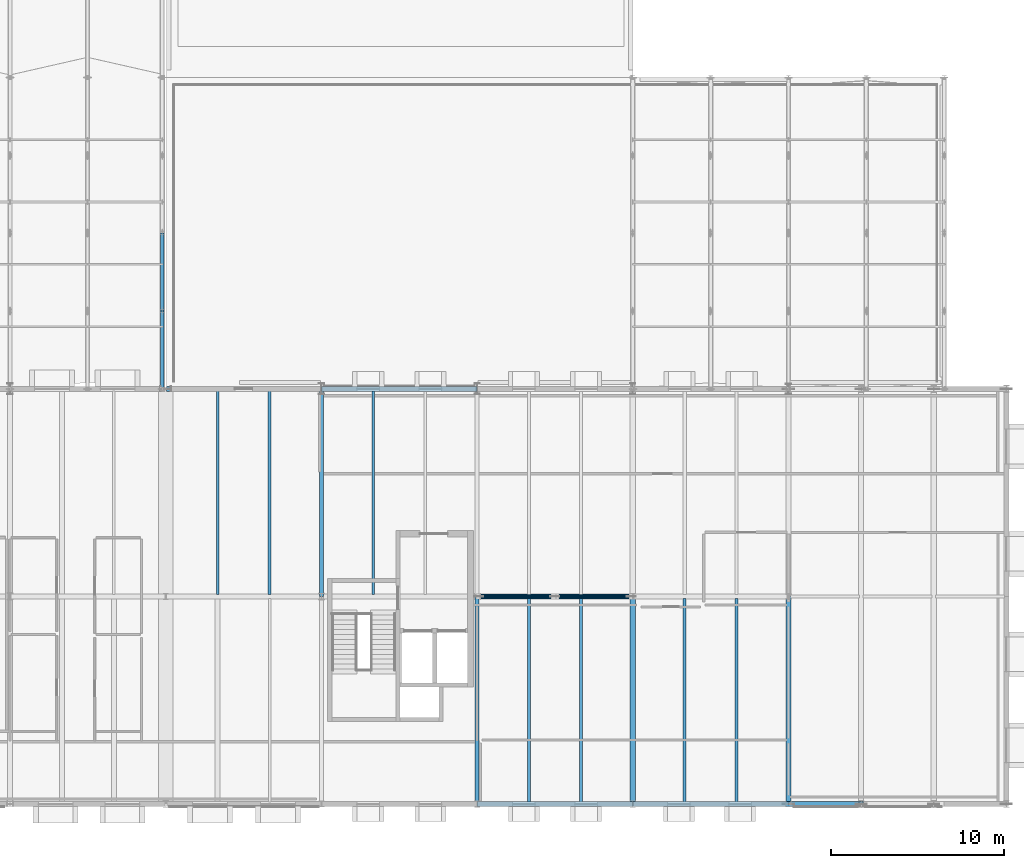
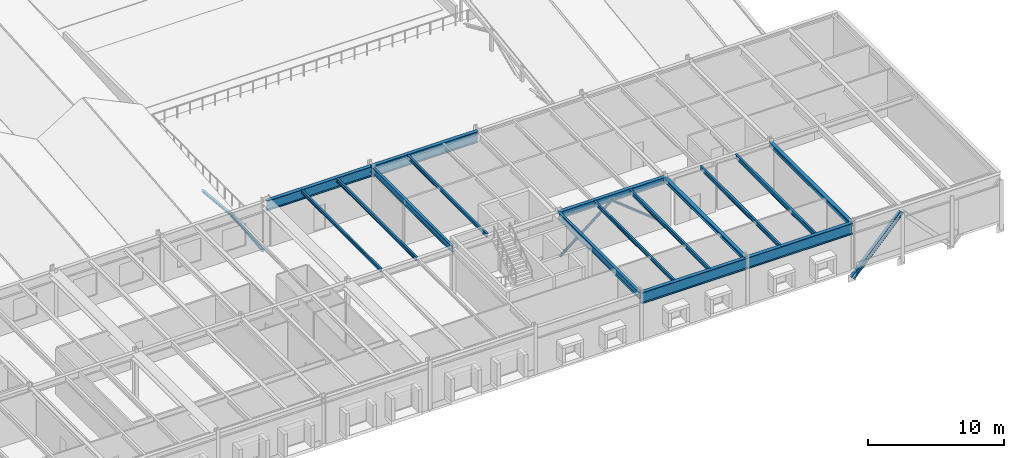
# One storey, part 45 of 142: 16 beams, 5 members.
"""IFC4 building model written with IfcOpenShell, lengths in metres."""

from ifc_helpers import new_model, si_unit, direction, frame, origin, origin_2d, place, context, subcontext, project, spatial, hollow_circle, i_section, extrude, material, material_profile, profile_set, type_object, element, save


model = new_model("IFC4")

# Units and contexts
model_context = context("Model", 3, precision=1e-05, world=origin(), true_north=direction((0.0, 1.0)))
body_context = subcontext(model_context, "Body", "Model", "MODEL_VIEW")
ifc_project = project(units=[si_unit("LENGTHUNIT", "METRE"), si_unit("AREAUNIT", "SQUARE_METRE"), si_unit("VOLUMEUNIT", "CUBIC_METRE"), si_unit("PLANEANGLEUNIT", "RADIAN"), si_unit("MASSUNIT", "GRAM", prefix="KILO")], contexts=[model_context])

# Site, building, storey
site_placement = place(None, origin())
site = spatial("IfcSite", under=ifc_project, at=site_placement, CompositionType="ELEMENT")
building_placement = place(site_placement, origin())
building = spatial("IfcBuilding", under=site, at=building_placement, Name="Montelvaro Courts of Justice", CompositionType="ELEMENT")
storey_placement = place(building_placement, frame((0.0, 0.0, 14.39990234375)))
storey = spatial("IfcBuildingStorey", under=building, at=storey_placement, Name="L03", CompositionType="ELEMENT", Elevation=14.39990234375)

# Beams
ifc_material = material(Name="Steel S355", Category="steel")
ifc_material_profile_1 = material_profile(ifc_material, i_section(OverallWidth=0.300048828125, OverallDepth=0.35009765625, WebThickness=0.010009765625, FlangeThickness=0.017578125, at=origin_2d()), Name="HEA 360")
ifc_profile_set_1 = profile_set([ifc_material_profile_1], Name="Steel S355")
beam_type_1 = type_object("IfcBeamType", Name="Beam_HEA360", PredefinedType="USERDEFINED", material=ifc_profile_set_1)
beam_1_placement = place(storey_placement, frame((126.0, 0.0, 4.005126953125), z_axis=(0.0, 1.0, 0.0), x_axis=(-1.0, 0.0, 0.0)))
element("IfcBeam", 1, at=beam_1_placement, inside=storey, type_object=beam_type_1, Name="Beam B-16 L03", ObjectType="GIRDER", PredefinedType="USERDEFINED", context=body_context, shape_type="SweptSolid", body=[
    extrude(i_section(OverallWidth=0.300048828125, OverallDepth=0.35009765625, WebThickness=0.010009765625, FlangeThickness=0.017578125, at=origin_2d()), origin(), (0.0, 0.0, 1.0), 12.0),
])
ifc_material_profile_2 = material_profile(ifc_material, i_section(OverallWidth=0.300048828125, OverallDepth=0.389892578125, WebThickness=0.010986328125, FlangeThickness=0.01904296875, at=origin_2d()), Name="HEA 400")
ifc_profile_set_2 = profile_set([ifc_material_profile_2], Name="Steel S355")
beam_type_2 = type_object("IfcBeamType", Name="Beam_HEA400", PredefinedType="USERDEFINED", material=ifc_profile_set_2)
beam_2_placement = place(storey_placement, frame((135.0, 0.0, 3.985107421875), z_axis=(0.0, 1.0, 0.0), x_axis=(-1.0, 0.0, 0.0)))
element("IfcBeam", 2, at=beam_2_placement, inside=storey, type_object=beam_type_2, Name="Beam B-17 L03", ObjectType="GIRDER", PredefinedType="USERDEFINED", context=body_context, shape_type="SweptSolid", body=[
    extrude(i_section(OverallWidth=0.300048828125, OverallDepth=0.389892578125, WebThickness=0.010986328125, FlangeThickness=0.01904296875, at=origin_2d()), origin(), (0.0, 0.0, 1.0), 12.0),
])
ifc_material_profile_3 = material_profile(ifc_material, i_section(OverallWidth=0.300048828125, OverallDepth=0.60009765625, WebThickness=0.015380859375, FlangeThickness=0.030029296875, at=origin_2d()), Name="HEB 600")
ifc_profile_set_3 = profile_set([ifc_material_profile_3], Name="Steel S355")
beam_type_3 = type_object("IfcBeamType", Name="Beam_HEB600", PredefinedType="USERDEFINED", material=ifc_profile_set_3)
beam_3_placement = place(storey_placement, frame((117.0, 12.0, 3.880126953125), z_axis=(1.0, 0.0, 0.0), x_axis=(0.0, 1.0, 0.0)))
element("IfcBeam", 3, at=beam_3_placement, inside=storey, type_object=beam_type_3, Name="Beam B-26 L03", ObjectType="GIRDER", PredefinedType="USERDEFINED", context=body_context, shape_type="SweptSolid", body=[
    extrude(i_section(OverallWidth=0.300048828125, OverallDepth=0.60009765625, WebThickness=0.015380859375, FlangeThickness=0.030029296875, at=origin_2d()), origin(), (0.0, 0.0, 1.0), 9.0),
])
ifc_material_profile_4 = material_profile(ifc_material, i_section(OverallWidth=0.300048828125, OverallDepth=0.89990234375, WebThickness=0.0185546875, FlangeThickness=0.034912109375, at=origin_2d()), Name="HEB 900")
ifc_profile_set_4 = profile_set([ifc_material_profile_4], Name="Steel S355")
beam_type_4 = type_object("IfcBeamType", Name="Beam_HEB900", PredefinedType="USERDEFINED", material=ifc_profile_set_4)
beam_4_placement = place(storey_placement, frame((99.050048828125, 24.0, 3.72998046875), z_axis=(1.0, 0.0, 0.0), x_axis=(0.0, 1.0, 0.0)))
element("IfcBeam", 4, at=beam_4_placement, inside=storey, type_object=beam_type_4, Name="Beam B-30 L03", ObjectType="GIRDER", PredefinedType="USERDEFINED", context=body_context, shape_type="SweptSolid", body=[
    extrude(i_section(OverallWidth=0.300048828125, OverallDepth=0.89990234375, WebThickness=0.0185546875, FlangeThickness=0.034912109375, at=origin_2d()), origin(), (0.0, 0.0, 1.0), 8.949951171875),
])
ifc_material_profile_5 = material_profile(ifc_material, i_section(OverallWidth=0.302001953125, OverallDepth=1.008056640625, WebThickness=0.02099609375, FlangeThickness=0.0400390625, at=origin_2d()), Name="HEM 1000")
ifc_profile_set_5 = profile_set([ifc_material_profile_5], Name="Steel S355")
beam_type_5 = type_object("IfcBeamType", Name="Beam_HEM1000", PredefinedType="USERDEFINED", material=ifc_profile_set_5)
for number, where, z_axis, x_axis, name in (
    (5, (117.0, 0.0, 3.676025390625), (1.0, 0.0, 0.0), (0.0, 1.0, 0.0), "Pratt Cantilever Truss Chord CTR-BAR2-S-L04-BS2"),
    (6, (126.0, 0.0, 3.676025390625), (1.0, 0.0, 0.0), (0.0, 1.0, 0.0), "Pratt Cantilever Truss Chord CTR-BAR2-S-L04-BS3"),
    (7, (108.0, 24.0, 3.676025390625), (1.0, 0.0, 0.0), (0.0, 1.0, 0.0), "Pratt Cantilever Truss Chord CTR-BAR2-N-L04-BS1"),
):
    element("IfcBeam", number, at=place(storey_placement, frame(where, z_axis=z_axis, x_axis=x_axis)), inside=storey, type_object=beam_type_5, Name=name, ObjectType="GIRDER", PredefinedType="USERDEFINED", context=body_context, shape_type="SweptSolid", body=[
        extrude(i_section(OverallWidth=0.302001953125, OverallDepth=1.008056640625, WebThickness=0.02099609375, FlangeThickness=0.0400390625, at=origin_2d()), origin(), (0.0, 0.0, 1.0), 9.0),
    ])
ifc_material_profile_6 = material_profile(ifc_material, i_section(OverallWidth=0.14990234375, OverallDepth=0.300048828125, WebThickness=0.007080078125, FlangeThickness=0.0107421875, at=origin_2d()), Name="IPE 300")
ifc_profile_set_6 = profile_set([ifc_material_profile_6], Name="Steel S355")
beam_type_6 = type_object("IfcBeamType", Name="Beam_IPE300", PredefinedType="BEAM", material=ifc_profile_set_6)
beam_5_placement = place(storey_placement, frame((102.0, 12.110107421875, 4.030029296875), z_axis=(0.0, 1.0, 0.0), x_axis=(-1.0, 0.0, 0.0)))
element("IfcBeam", 8, at=beam_5_placement, inside=storey, type_object=beam_type_6, Name="Beam B-05 L03", PredefinedType="BEAM", context=body_context, shape_type="SweptSolid", body=[
    extrude(i_section(OverallWidth=0.14990234375, OverallDepth=0.300048828125, WebThickness=0.007080078125, FlangeThickness=0.0107421875, at=origin_2d()), origin(), (0.0, 0.0, 1.0), 11.77978515625),
])
ifc_material_profile_7 = material_profile(ifc_material, i_section(OverallWidth=0.159912109375, OverallDepth=0.330078125, WebThickness=0.007568359375, FlangeThickness=0.011474609375, at=origin_2d()), Name="IPE 330")
ifc_profile_set_7 = profile_set([ifc_material_profile_7], Name="Steel S355")
beam_type_7 = type_object("IfcBeamType", Name="Beam_IPE330", PredefinedType="BEAM", material=ifc_profile_set_7)
for number, where, z_axis, x_axis, name in (
    (9, (105.0, 12.110107421875, 4.01513671875), (0.0, 1.0, 0.0), (-1.0, 0.0, 0.0), "Beam B-06 L03"),
    (10, (111.0, 12.110107421875, 4.01513671875), (0.0, 1.0, 0.0), (-1.0, 0.0, 0.0), "Beam B-06 L03"),
    (11, (120.0, 0.110107421875, 4.01513671875), (0.0, 1.0, 0.0), (-1.0, 0.0, 0.0), "Beam B-06 L03"),
):
    element("IfcBeam", number, at=place(storey_placement, frame(where, z_axis=z_axis, x_axis=x_axis)), inside=storey, type_object=beam_type_7, Name=name, PredefinedType="BEAM", context=body_context, shape_type="SweptSolid", body=[
        extrude(i_section(OverallWidth=0.159912109375, OverallDepth=0.330078125, WebThickness=0.007568359375, FlangeThickness=0.011474609375, at=origin_2d()), origin(), (0.0, 0.0, 1.0), 11.77978515625),
    ])
ifc_material_profile_8 = material_profile(ifc_material, i_section(OverallWidth=0.169921875, OverallDepth=0.360107421875, WebThickness=0.008056640625, FlangeThickness=0.0126953125, at=origin_2d()), Name="IPE 360")
ifc_profile_set_8 = profile_set([ifc_material_profile_8], Name="Steel S355")
beam_type_8 = type_object("IfcBeamType", Name="Beam_IPE360", PredefinedType="BEAM", material=ifc_profile_set_8)
for number, where, z_axis, x_axis, name in (
    (12, (123.0, 0.110107421875, 4.0), (0.0, 1.0, 0.0), (-1.0, 0.0, 0.0), "Beam B-07 L03"),
    (13, (129.0, 0.110107421875, 4.0), (0.0, 1.0, 0.0), (-1.0, 0.0, 0.0), "Beam B-07 L03"),
):
    element("IfcBeam", number, at=place(storey_placement, frame(where, z_axis=z_axis, x_axis=x_axis)), inside=storey, type_object=beam_type_8, Name=name, PredefinedType="BEAM", context=body_context, shape_type="SweptSolid", body=[
        extrude(i_section(OverallWidth=0.169921875, OverallDepth=0.360107421875, WebThickness=0.008056640625, FlangeThickness=0.0126953125, at=origin_2d()), origin(), (0.0, 0.0, 1.0), 11.77978515625),
    ])
ifc_material_profile_9 = material_profile(ifc_material, i_section(OverallWidth=0.179931640625, OverallDepth=0.39990234375, WebThickness=0.008544921875, FlangeThickness=0.013427734375, at=origin_2d()), Name="IPE 400")
ifc_profile_set_9 = profile_set([ifc_material_profile_9], Name="Steel S355")
beam_type_9 = type_object("IfcBeamType", Name="Beam_IPE400", PredefinedType="BEAM", material=ifc_profile_set_9)
beam_6_placement = place(storey_placement, frame((132.0, 0.110107421875, 3.97998046875), z_axis=(0.0, 1.0, 0.0), x_axis=(-1.0, 0.0, 0.0)))
element("IfcBeam", 14, at=beam_6_placement, inside=storey, type_object=beam_type_9, Name="Beam B-08 L03", PredefinedType="BEAM", context=body_context, shape_type="SweptSolid", body=[
    extrude(i_section(OverallWidth=0.179931640625, OverallDepth=0.39990234375, WebThickness=0.008544921875, FlangeThickness=0.013427734375, at=origin_2d()), origin(), (0.0, 0.0, 1.0), 11.77978515625),
])
ifc_material_profile_10 = material_profile(ifc_material, i_section(OverallWidth=0.2099609375, OverallDepth=0.550048828125, WebThickness=0.010986328125, FlangeThickness=0.01708984375, at=origin_2d()), Name="IPE 550")
ifc_profile_set_10 = profile_set([ifc_material_profile_10], Name="Steel S355")
beam_type_10 = type_object("IfcBeamType", Name="Beam_IPE550", PredefinedType="BEAM", material=ifc_profile_set_10)
beam_7_placement = place(storey_placement, frame((108.0, 12.0, 3.905029296875), z_axis=(0.0, 1.0, 0.0), x_axis=(-1.0, 0.0, 0.0)))
element("IfcBeam", 15, at=beam_7_placement, inside=storey, type_object=beam_type_10, Name="Beam B-11 L03", PredefinedType="BEAM", context=body_context, shape_type="SweptSolid", body=[
    extrude(i_section(OverallWidth=0.2099609375, OverallDepth=0.550048828125, WebThickness=0.010986328125, FlangeThickness=0.01708984375, at=origin_2d()), origin(), (0.0, 0.0, 1.0), 12.0),
])
ifc_material_profile_11 = material_profile(ifc_material, i_section(OverallWidth=0.219970703125, OverallDepth=0.60009765625, WebThickness=0.011962890625, FlangeThickness=0.01904296875, at=origin_2d()), Name="IPE 600")
ifc_profile_set_11 = profile_set([ifc_material_profile_11], Name="Steel S355")
beam_type_11 = type_object("IfcBeamType", Name="Beam_IPE600", PredefinedType="USERDEFINED", material=ifc_profile_set_11)
beam_8_placement = place(storey_placement, frame((117.0, 0.0, 3.880126953125), z_axis=(0.0, 1.0, 0.0), x_axis=(-1.0, 0.0, 0.0)))
element("IfcBeam", 16, at=beam_8_placement, inside=storey, type_object=beam_type_11, Name="Beam B-12 L03", ObjectType="GIRDER", PredefinedType="USERDEFINED", context=body_context, shape_type="SweptSolid", body=[
    extrude(i_section(OverallWidth=0.219970703125, OverallDepth=0.60009765625, WebThickness=0.011962890625, FlangeThickness=0.01904296875, at=origin_2d()), origin(), (0.0, 0.0, 1.0), 12.0),
])

# Members
ifc_material_profile_12 = material_profile(ifc_material, hollow_circle(Radius=0.109619140625, WallThickness=0.010009765625, at=origin_2d()), Name="CHS 219.1x10")
ifc_profile_set_12 = profile_set([ifc_material_profile_12], Name="Steel S355")
member_type_1 = type_object("IfcMemberType", Name="Mem_CHS219_Brace", PredefinedType="BRACE", material=ifc_profile_set_12)
for number, where, z_axis, x_axis, name in (
    (17, (117.080078125, 12.0, 0.080078125), (0.782241151361, 0.0, 0.622975746814), (0.0, 1.0, 0.0), "Lateral Braced Frame CBF2 Diagonal 1 (L03)"),
    (18, (125.919921875, 12.0, 0.080078125), (-0.782241151361, 0.0, 0.622975746814), (0.0, -1.0, 0.0), "Lateral Braced Frame CBF2 Diagonal 2 (L03)"),
):
    element("IfcMember", number, at=place(storey_placement, frame(where, z_axis=z_axis, x_axis=x_axis)), inside=storey, type_object=member_type_1, Name=name, PredefinedType="BRACE", context=body_context, shape_type="SweptSolid", body=[
        extrude(hollow_circle(Radius=0.109619140625, WallThickness=0.010009765625, at=origin_2d()), origin(), (0.0, 0.0, 1.0), 5.650390625),
    ])
ifc_material_profile_13 = material_profile(ifc_material, i_section(OverallWidth=0.199951171875, OverallDepth=0.18994140625, WebThickness=0.006591796875, FlangeThickness=0.010009765625, at=origin_2d()), Name="HEA 200")
ifc_profile_set_13 = profile_set([ifc_material_profile_13], Name="Steel S355")
member_type_2 = type_object("IfcMemberType", Name="Mem_HEA200_Brace", PredefinedType="BRACE", material=ifc_profile_set_13)
for number, where, z_axis, x_axis, name in (
    (19, (98.800048828125, 24.0, -0.2998046875), (0.0, 0.995467028461, 0.09510728283), (-1.0, 0.0, 0.0), "Roof Truss Web MB-02 ROOF-PASSAGE-S-VTR04-W1"),
    (20, (98.800048828125, 28.5, 0.130126953125), (0.0, 0.995467028461, -0.09510728283), (-1.0, 0.0, 0.0), "Roof Truss Web MB-02 ROOF-PASSAGE-S-VTR04-W2"),
):
    element("IfcMember", number, at=place(storey_placement, frame(where, z_axis=z_axis, x_axis=x_axis)), inside=storey, type_object=member_type_2, Name=name, PredefinedType="BRACE", context=body_context, shape_type="SweptSolid", body=[
        extrude(i_section(OverallWidth=0.199951171875, OverallDepth=0.18994140625, WebThickness=0.006591796875, FlangeThickness=0.010009765625, at=origin_2d()), origin(), (0.0, 0.0, 1.0), 4.5205078125),
    ])
ifc_material_profile_14 = material_profile(ifc_material, i_section(OverallWidth=0.300048828125, OverallDepth=0.360107421875, WebThickness=0.012451171875, FlangeThickness=0.0224609375, at=origin_2d()), Name="HEB 360")
ifc_profile_set_14 = profile_set([ifc_material_profile_14], Name="Steel S355")
member_type_3 = type_object("IfcMemberType", Name="Mem_HEB360_Brace", PredefinedType="BRACE", material=ifc_profile_set_14)
member_placement = place(storey_placement, frame((135.0, 0.0, -0.823974609375), z_axis=(0.682314010889, 0.0, 0.73105922506), x_axis=(0.0, 1.0, 0.0)))
element("IfcMember", 21, at=member_placement, inside=storey, type_object=member_type_3, Name="Pratt Cantilever Truss Diagonal MB-01 CTR-BAR2-S-L03-D4", PredefinedType="BRACE", context=body_context, shape_type="SweptSolid", body=[
    extrude(i_section(OverallWidth=0.300048828125, OverallDepth=0.360107421875, WebThickness=0.012451171875, FlangeThickness=0.0224609375, at=origin_2d()), origin(), (0.0, 0.0, 1.0), 6.155517578125),
])

save(model, "model.ifc")
